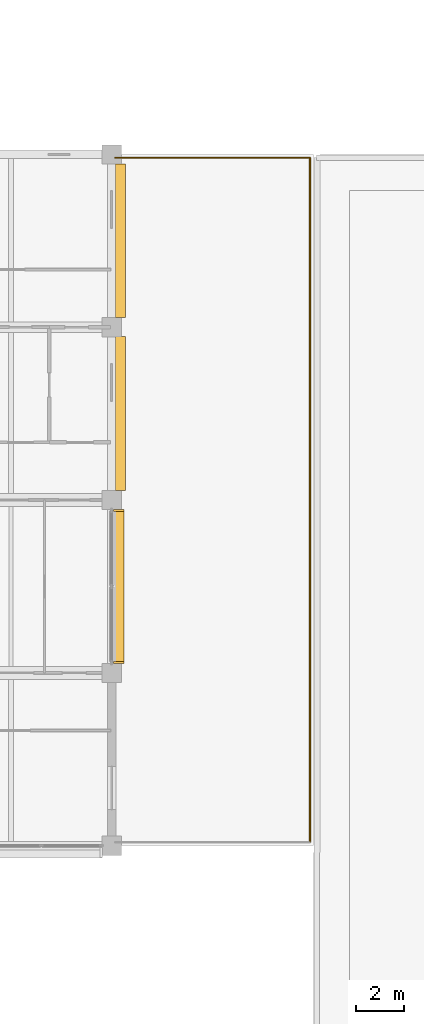
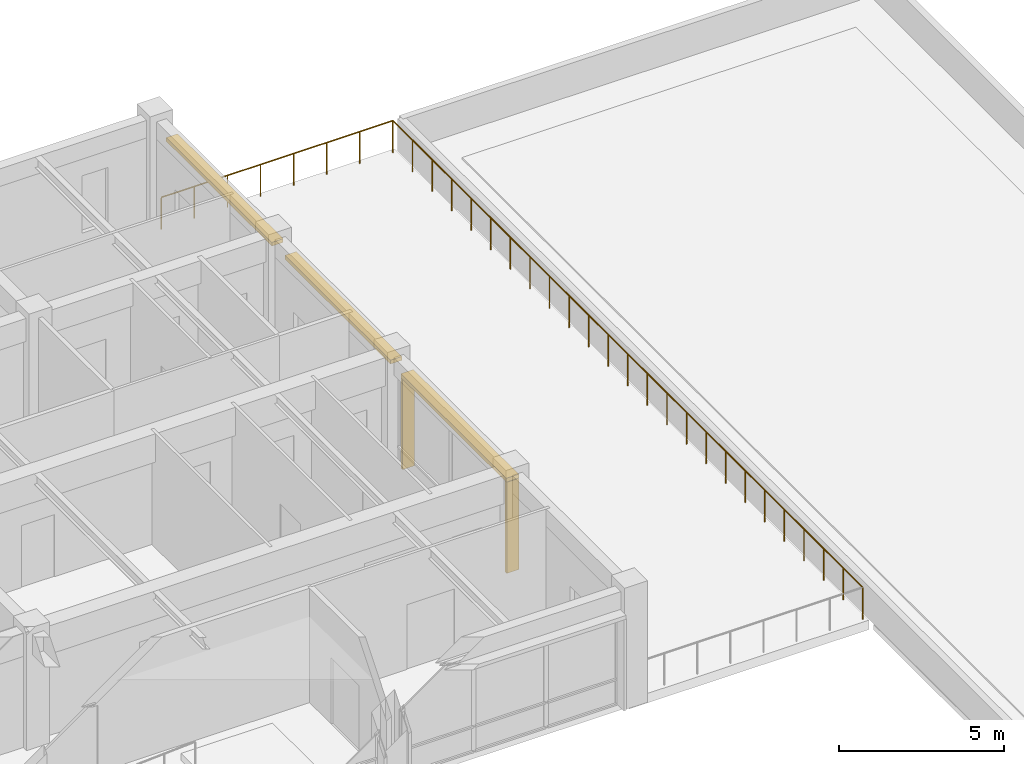
# One storey, part 40 of 40: 5 shading devices, 2 railings.
"""IFC4 building model written with IfcOpenShell, lengths in metres."""

import ifcopenshell
import ifcopenshell.guid

model = None  # the IFC model being written
_history = None  # IfcOwnerHistory: only IFC2X3 demands one
_inside = {}  # id of a spatial element -> (the spatial element, [elements in it])
_under = {}  # id of a project, library or spatial element -> (it, [spatial elements below it])
_declared = {}  # id of a project -> (the project, [libraries it declares])
_typed = {}  # id of a type object -> (the type object, [elements of that type])
_made_of = {}  # id of a material, layer set ... -> (it, [elements and type objects made of it])


def new_model(schema):
    """Start an empty IFC model of exactly this schema.

    Asked for "IFC4X3", IfcOpenShell would pick the latest addendum, in which some entities
    have other attributes; the version numbers below select the first issue.
    IFC2X3 requires an IfcOwnerHistory on every rooted entity: one is made here for all.
    """
    global model, _history
    if schema == "IFC4X3":
        model = ifcopenshell.file(schema_version=(4, 3, 0, 0))
    else:
        model = ifcopenshell.file(schema=schema)
    _inside.clear()
    _under.clear()
    _declared.clear()
    _typed.clear()
    _made_of.clear()
    _history = None
    if model.schema == "IFC2X3":
        org = make("IfcOrganization", Name="unknown")
        user = make(
            "IfcPersonAndOrganization",
            ThePerson=make("IfcPerson", FamilyName="unknown"),
            TheOrganization=org,
        )
        app = make(
            "IfcApplication",
            ApplicationDeveloper=org,
            Version="unknown",
            ApplicationFullName="unknown",
            ApplicationIdentifier="unknown",
        )
        _history = make(
            "IfcOwnerHistory",
            OwningUser=user,
            OwningApplication=app,
            ChangeAction="ADDED",
            CreationDate=0,
        )
    return model


def make(cls, **values):
    """One entity of the class cls with the attributes given. An attribute that is None is left unset."""
    return model.create_entity(
        cls, **{name: value for name, value in values.items() if value is not None}
    )


def rooted(cls, **values):
    """An entity with a GlobalId (a new one), such as an element, a storey or a relation."""
    return make(cls, GlobalId=ifcopenshell.guid.new(), OwnerHistory=_history, **values)


def si_unit(unit_type, name, prefix=None):
    """IfcSIUnit, for example si_unit("LENGTHUNIT", "METRE", prefix="MILLI")."""
    return make("IfcSIUnit", UnitType=unit_type, Prefix=prefix, Name=name)


def assignment(units):
    """IfcUnitAssignment: the units of a project."""
    return None if units is None else make("IfcUnitAssignment", Units=units)


def point(xyz):
    """IfcCartesianPoint."""
    return None if xyz is None else make("IfcCartesianPoint", Coordinates=xyz)


def direction(xyz):
    """IfcDirection."""
    return None if xyz is None else make("IfcDirection", DirectionRatios=xyz)


def frame(location, z_axis=None, x_axis=None):
    """IfcAxis2Placement3D, a coordinate frame: its origin and axes. An axis left out is left unset."""
    return make(
        "IfcAxis2Placement3D",
        Location=point(location),
        Axis=direction(z_axis),
        RefDirection=direction(x_axis),
    )


def frame_2d(location, x_axis=None):
    """IfcAxis2Placement2D, a coordinate frame in the plane: its origin and x axis."""
    return make(
        "IfcAxis2Placement2D", Location=point(location), RefDirection=direction(x_axis)
    )


def origin():
    """The frame at (0, 0, 0) with its axes left unset."""
    return frame((0.0, 0.0, 0.0))


def origin_2d():
    """The frame at (0, 0) in the plane with its x axis left unset."""
    return frame_2d((0.0, 0.0))


def place(relative_to, where):
    """IfcLocalPlacement: puts the frame where relative to a parent placement (None: the world)."""
    return make(
        "IfcLocalPlacement", PlacementRelTo=relative_to, RelativePlacement=where
    )


def context(
    kind, dimensions, precision=None, world=None, true_north=None, identifier=None
):
    """IfcGeometricRepresentationContext, for example the 3D "Model" context."""
    return make(
        "IfcGeometricRepresentationContext",
        ContextIdentifier=identifier,
        ContextType=kind,
        CoordinateSpaceDimension=dimensions,
        Precision=precision,
        WorldCoordinateSystem=world,
        TrueNorth=true_north,
    )


def subcontext(parent, identifier, kind, view, scale=None):
    """IfcGeometricRepresentationSubContext, for example "Body" below "Model"."""
    return make(
        "IfcGeometricRepresentationSubContext",
        ContextIdentifier=identifier,
        ContextType=kind,
        ParentContext=parent,
        TargetScale=scale,
        TargetView=view,
    )


def project(units=None, contexts=None):
    """IfcProject with its units and contexts."""
    return rooted(
        "IfcProject",
        Name="project",
        RepresentationContexts=contexts,
        UnitsInContext=assignment(units),
    )


def spatial(cls, under=None, at=None, **own):
    """A site, building, storey or space (cls), placed at a placement, below another one or the project."""
    s = rooted(cls, ObjectPlacement=at, **own)
    if under is not None:
        _under.setdefault(under.id(), (under, []))[1].append(s)
    return s


def profile(cls, at=None, kind="AREA", **sizes):
    """A parametric profile (cls). Its sizes go by their IFC names, for example OverallWidth=200.0."""
    return make(cls, ProfileType=kind, Position=at, **sizes)


def rectangle(**sizes):
    """IfcRectangleProfileDef."""
    return profile("IfcRectangleProfileDef", **sizes)


def circle(**sizes):
    """IfcCircleProfileDef."""
    return profile("IfcCircleProfileDef", **sizes)


def extrude(swept, where, along, depth):
    """IfcExtrudedAreaSolid: the profile swept, set in the frame where, extruded along a direction by depth."""
    return make(
        "IfcExtrudedAreaSolid",
        SweptArea=swept,
        Position=where,
        ExtrudedDirection=direction(along),
        Depth=depth,
    )


def shape(context_of_items, identifier, shape_type, items):
    """IfcShapeRepresentation: the items that make up one representation, for example the "Body"."""
    return make(
        "IfcShapeRepresentation",
        ContextOfItems=context_of_items,
        RepresentationIdentifier=identifier,
        RepresentationType=shape_type,
        Items=items,
    )


def material(Name=None, Category=None):
    """IfcMaterial."""
    return make("IfcMaterial", Name=Name, Category=Category)


def made_of(thing, what):
    """Note that an element or type object is made of a material, layer set ...; save() writes the relation."""
    if what is not None:
        _made_of.setdefault(what.id(), (what, []))[1].append(thing)
    return thing


def type_object(cls, material=None, **own):
    """A type object (cls), such as IfcWallType, which elements share."""
    return made_of(rooted(cls, **own), material)


def element(
    cls,
    number,
    at=None,
    inside=None,
    cuts=None,
    type_object=None,
    material=None,
    context=None,
    identifier="Body",
    shape_type=None,
    held_by="IfcProductDefinitionShape",
    body=None,
    shapes=None,
    **own,
):
    """One element of the class cls, such as IfcWall. Its Tag is "e" and its number.

    at: its placement. inside: the storey or other place that contains it. cuts: it is an
    opening in that element (IfcRelVoidsElement). A single representation is given by context,
    identifier, shape_type and body (its items); several are given by shapes. held_by: the class
    of the entity that holds the representations. save() writes the other relations.
    """
    e = rooted(cls, Tag="e%d" % number, ObjectPlacement=at, **own)
    if body is not None:
        shapes = [shape(context, identifier, shape_type, body)]
    if shapes is not None:
        e.Representation = make(held_by, Representations=shapes)
    if inside is not None:
        _inside.setdefault(inside.id(), (inside, []))[1].append(e)
    if cuts is not None:
        rooted(
            "IfcRelVoidsElement", RelatingBuildingElement=cuts, RelatedOpeningElement=e
        )
    if type_object is not None:
        _typed.setdefault(type_object.id(), (type_object, []))[1].append(e)
    return made_of(e, material)


def aggregate(whole, parts):
    """IfcRelAggregates: a whole, such as a stair, and the parts it consists of."""
    return rooted("IfcRelAggregates", RelatingObject=whole, RelatedObjects=parts)


def save(model, path):
    """Write the relations noted so far, then the file.

    IfcRelAggregates (storeys below a building ...), IfcRelContainedInSpatialStructure (elements
    in a storey), IfcRelDefinesByType, IfcRelAssociatesMaterial and IfcRelDeclares: one each for
    every whole, place, type object, material and project.
    """
    for whole, parts in _under.values():
        aggregate(whole, parts)
    for where, things in _inside.values():
        rooted(
            "IfcRelContainedInSpatialStructure",
            RelatedElements=things,
            RelatingStructure=where,
        )
    for kind, things in _typed.values():
        rooted("IfcRelDefinesByType", RelatedObjects=things, RelatingType=kind)
    for what, things in _made_of.values():
        rooted("IfcRelAssociatesMaterial", RelatedObjects=things, RelatingMaterial=what)
    for by, libraries in _declared.values():
        rooted("IfcRelDeclares", RelatingContext=by, RelatedDefinitions=libraries)
    model.write(path)


model = new_model("IFC4")

# Units and contexts
model_context = context("Model", 3, precision=1e-05, world=origin(), true_north=direction((0.0, 1.0)))
body_context = subcontext(model_context, "Body", "Model", "MODEL_VIEW")
ifc_project = project(units=[si_unit("LENGTHUNIT", "METRE"), si_unit("AREAUNIT", "SQUARE_METRE"), si_unit("VOLUMEUNIT", "CUBIC_METRE"), si_unit("PLANEANGLEUNIT", "RADIAN"), si_unit("MASSUNIT", "GRAM", prefix="KILO")], contexts=[model_context])

# Site, building, storey
site_placement = place(None, origin())
site = spatial("IfcSite", under=ifc_project, at=site_placement, CompositionType="ELEMENT")
building_placement = place(site_placement, origin())
building = spatial("IfcBuilding", under=site, at=building_placement, Name="Chengyuan Square Courthouse", CompositionType="ELEMENT")
storey_placement = place(building_placement, frame((0.0, 0.0, 21.60009765625)))
storey = spatial("IfcBuildingStorey", under=building, at=storey_placement, Name="L05", CompositionType="ELEMENT", Elevation=21.60009765625)

# Railings
ifc_material_1 = material(Name="Stainless Steel S30408 and Laminated Glass Balustrade", Category="steel")
railing_type = type_object("IfcRailingType", Name="RL-01", PredefinedType="BALUSTRADE", material=ifc_material_1)
railing_1_placement = place(storey_placement, frame((142.93994140625, 107.860107421875, 0.0)))
element("IfcRailing", 1, at=railing_1_placement, inside=storey, type_object=railing_type, Name="Terrace Safety Balustrade RL-TER-010", PredefinedType="BALUSTRADE", context=body_context, shape_type="SweptSolid", body=[
    extrude(circle(Radius=0.02392578125, at=origin_2d()), frame((0.0, 0.0, 1.17578125), z_axis=(1.0, 0.0, 0.0), x_axis=(0.0, 1.0, 0.0)), (0.0, 0.0, 1.0), 8.1201171875),
    extrude(circle(Radius=0.02099609375, at=origin_2d()), origin(), (0.0, 0.0, 1.0), 1.15185546875),
    extrude(circle(Radius=0.02099609375, at=origin_2d()), frame((1.159912109375, 0.0, 0.0)), (0.0, 0.0, 1.0), 1.15185546875),
    extrude(circle(Radius=0.02099609375, at=origin_2d()), frame((2.320068359375, 0.0, 0.0)), (0.0, 0.0, 1.0), 1.15185546875),
    extrude(circle(Radius=0.02099609375, at=origin_2d()), frame((3.47998046875, 0.0, 0.0)), (0.0, 0.0, 1.0), 1.15185546875),
    extrude(circle(Radius=0.02099609375, at=origin_2d()), frame((4.64013671875, 0.0, 0.0)), (0.0, 0.0, 1.0), 1.15185546875),
    extrude(circle(Radius=0.02099609375, at=origin_2d()), frame((5.800048828125, 0.0, 0.0)), (0.0, 0.0, 1.0), 1.15185546875),
    extrude(circle(Radius=0.02099609375, at=origin_2d()), frame((6.960205078125, 0.0, 0.0)), (0.0, 0.0, 1.0), 1.15185546875),
    extrude(circle(Radius=0.02099609375, at=origin_2d()), frame((8.1201171875, 0.0, 0.0)), (0.0, 0.0, 1.0), 1.15185546875),
])
railing_2_placement = place(storey_placement, frame((151.06005859375, 107.860107421875, 0.0)))
element("IfcRailing", 2, at=railing_2_placement, inside=storey, type_object=railing_type, Name="Terrace Safety Balustrade RL-TER-011", PredefinedType="BALUSTRADE", context=body_context, shape_type="SweptSolid", body=[
    extrude(circle(Radius=0.02392578125, at=origin_2d()), frame((0.0, 0.0, 1.17578125), z_axis=(0.0, -1.0, 0.0), x_axis=(1.0, 0.0, 0.0)), (0.0, 0.0, 1.0), 28.52001953125),
    extrude(circle(Radius=0.02099609375, at=origin_2d()), origin(), (0.0, 0.0, 1.0), 1.15185546875),
    extrude(circle(Radius=0.02099609375, at=origin_2d()), frame((0.0, -1.188232421875, 0.0)), (0.0, 0.0, 1.0), 1.15185546875),
    extrude(circle(Radius=0.02099609375, at=origin_2d()), frame((0.0, -2.376708984375, 0.0)), (0.0, 0.0, 1.0), 1.15185546875),
    extrude(circle(Radius=0.02099609375, at=origin_2d()), frame((0.0, -3.56494140625, 0.0)), (0.0, 0.0, 1.0), 1.15185546875),
    extrude(circle(Radius=0.02099609375, at=origin_2d()), frame((0.0, -4.75341796875, 0.0)), (0.0, 0.0, 1.0), 1.15185546875),
    extrude(circle(Radius=0.02099609375, at=origin_2d()), frame((0.0, -5.941650390625, 0.0)), (0.0, 0.0, 1.0), 1.15185546875),
    extrude(circle(Radius=0.02099609375, at=origin_2d()), frame((0.0, -7.1298828125, 0.0)), (0.0, 0.0, 1.0), 1.15185546875),
    extrude(circle(Radius=0.02099609375, at=origin_2d()), frame((0.0, -8.318359375, 0.0)), (0.0, 0.0, 1.0), 1.15185546875),
    extrude(circle(Radius=0.02099609375, at=origin_2d()), frame((0.0, -9.506591796875, 0.0)), (0.0, 0.0, 1.0), 1.15185546875),
    extrude(circle(Radius=0.02099609375, at=origin_2d()), frame((0.0, -10.695068359375, 0.0)), (0.0, 0.0, 1.0), 1.15185546875),
    extrude(circle(Radius=0.02099609375, at=origin_2d()), frame((0.0, -11.88330078125, 0.0)), (0.0, 0.0, 1.0), 1.15185546875),
    extrude(circle(Radius=0.02099609375, at=origin_2d()), frame((0.0, -13.07177734375, 0.0)), (0.0, 0.0, 1.0), 1.15185546875),
    extrude(circle(Radius=0.02099609375, at=origin_2d()), frame((0.0, -14.260009765625, 0.0)), (0.0, 0.0, 1.0), 1.15185546875),
    extrude(circle(Radius=0.02099609375, at=origin_2d()), frame((0.0, -15.4482421875, 0.0)), (0.0, 0.0, 1.0), 1.15185546875),
    extrude(circle(Radius=0.02099609375, at=origin_2d()), frame((0.0, -16.63671875, 0.0)), (0.0, 0.0, 1.0), 1.15185546875),
    extrude(circle(Radius=0.02099609375, at=origin_2d()), frame((0.0, -17.824951171875, 0.0)), (0.0, 0.0, 1.0), 1.15185546875),
    extrude(circle(Radius=0.02099609375, at=origin_2d()), frame((0.0, -19.013427734375, 0.0)), (0.0, 0.0, 1.0), 1.15185546875),
    extrude(circle(Radius=0.02099609375, at=origin_2d()), frame((0.0, -20.20166015625, 0.0)), (0.0, 0.0, 1.0), 1.15185546875),
    extrude(circle(Radius=0.02099609375, at=origin_2d()), frame((0.0, -21.39013671875, 0.0)), (0.0, 0.0, 1.0), 1.15185546875),
    extrude(circle(Radius=0.02099609375, at=origin_2d()), frame((0.0, -22.578369140625, 0.0)), (0.0, 0.0, 1.0), 1.15185546875),
    extrude(circle(Radius=0.02099609375, at=origin_2d()), frame((0.0, -23.7666015625, 0.0)), (0.0, 0.0, 1.0), 1.15185546875),
    extrude(circle(Radius=0.02099609375, at=origin_2d()), frame((0.0, -24.955078125, 0.0)), (0.0, 0.0, 1.0), 1.15185546875),
    extrude(circle(Radius=0.02099609375, at=origin_2d()), frame((0.0, -26.143310546875, 0.0)), (0.0, 0.0, 1.0), 1.15185546875),
    extrude(circle(Radius=0.02099609375, at=origin_2d()), frame((0.0, -27.331787109375, 0.0)), (0.0, 0.0, 1.0), 1.15185546875),
    extrude(circle(Radius=0.02099609375, at=origin_2d()), frame((0.0, -28.52001953125, 0.0)), (0.0, 0.0, 1.0), 1.15185546875),
])

# Shading devices
ifc_material_2 = material(Name="Glulam TCt28 Solar Shading Fin", Category="wood")
shading_device_type_1 = type_object("IfcShadingDeviceType", Name="SHD-01", PredefinedType="JALOUSIE", material=ifc_material_2)
for number, where, z_axis, x_axis, name in (
    (3, (143.092041015625, 86.83251953125, 0.0400390625), (0.0, 0.0, 1.0), (1.0, 0.0, 0.0), "Glulam Solar Fin SHD-L05-0572"),
    (4, (143.092041015625, 93.16748046875, 0.0400390625), (0.0, 0.0, 1.0), (1.0, 0.0, 0.0), "Glulam Solar Fin SHD-L05-0573"),
):
    element("IfcShadingDevice", number, at=place(storey_placement, frame(where, z_axis=z_axis, x_axis=x_axis)), inside=storey, type_object=shading_device_type_1, Name=name, PredefinedType="JALOUSIE", context=body_context, shape_type="SweptSolid", body=[
        extrude(rectangle(XDim=0.419921875, YDim=0.094970703125, at=origin_2d()), origin(), (0.0, 0.0, 1.0), 3.3798828125),
    ])
ifc_material_3 = material(Name="Glulam TCt28 Sunshade Louvre", Category="wood")
shading_device_type_2 = type_object("IfcShadingDeviceType", Name="SHD-02", PredefinedType="AWNING", material=ifc_material_3)
shading_device_placement = place(storey_placement, frame((143.092041015625, 90.0, 3.419921875), z_axis=(0.0, 0.0, 1.0), x_axis=(0.0, 1.0, 0.0)))
element("IfcShadingDevice", 5, at=shading_device_placement, inside=storey, type_object=shading_device_type_2, Name="Glulam Sunshade Louvre SHD-L05-0574", PredefinedType="AWNING", context=body_context, shape_type="SweptSolid", body=[
    extrude(rectangle(XDim=6.39990234375, YDim=0.43994140625, at=origin_2d()), origin(), (0.0, 0.0, 1.0), 0.139892578125),
])
ifc_material_4 = material(Name="Glulam TCt28 Facade Sunshade", Category="wood")
shading_device_type_3 = type_object("IfcShadingDeviceType", Name="SHD-03", PredefinedType="AWNING", material=ifc_material_4)
for number, where, z_axis, x_axis, name in (
    (6, (143.1669921875, 97.199951171875, 3.39990234375), (0.0, 0.0, 1.0), (0.0, 1.0, 0.0), "Glulam Facade Sunshade SHD-L05-0575"),
    (7, (143.1669921875, 104.39990234375, 3.39990234375), (0.0, 0.0, 1.0), (0.0, 1.0, 0.0), "Glulam Facade Sunshade SHD-L05-0576"),
):
    element("IfcShadingDevice", number, at=place(storey_placement, frame(where, z_axis=z_axis, x_axis=x_axis)), inside=storey, type_object=shading_device_type_3, Name=name, PredefinedType="AWNING", context=body_context, shape_type="SweptSolid", body=[
        extrude(rectangle(XDim=6.409912109375, YDim=0.39990234375, at=origin_2d()), origin(), (0.0, 0.0, 1.0), 0.139892578125),
    ])

save(model, "model.ifc")
